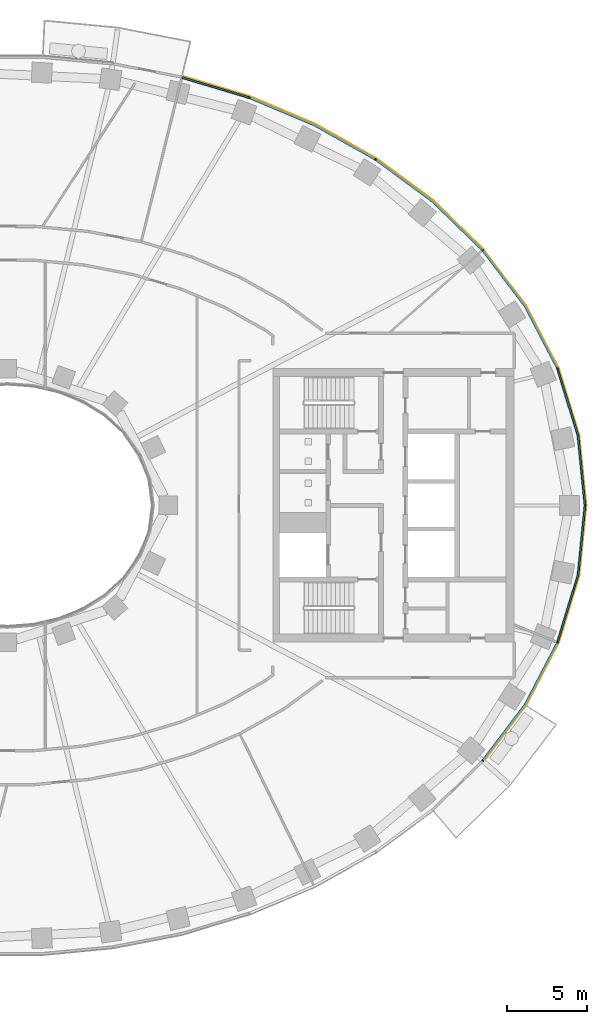
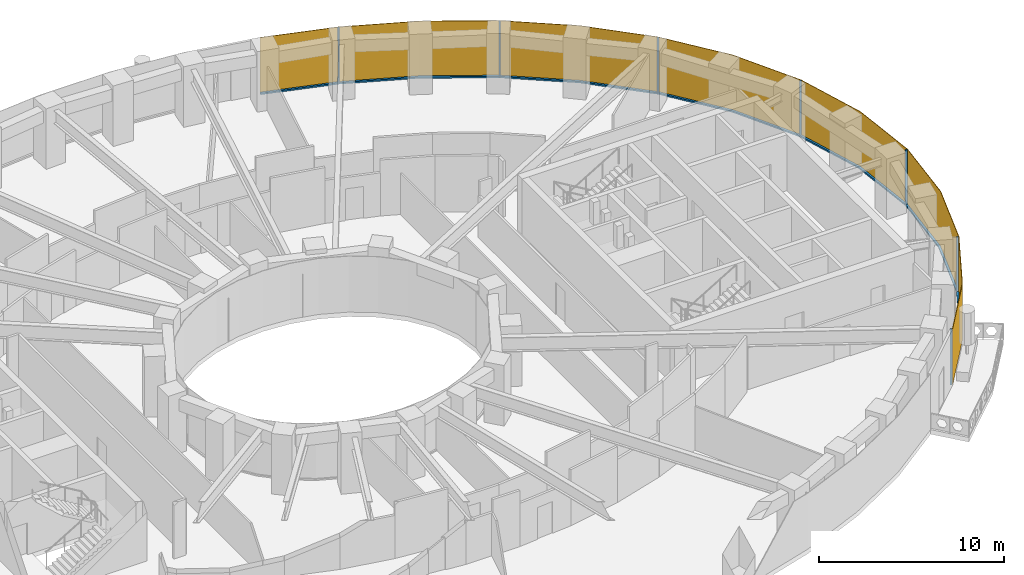
# One storey, part 13 of 16: 14 members, 1 curtain wall.
"""IFC4 building model written with IfcOpenShell, lengths in metres."""

from ifc_helpers import new_model, si_unit, direction, frame, origin, origin_2d, place, context, subcontext, project, spatial, polyline, rectangle, outline, extrude, material, layer, layer_set, material_profile, profile_set, type_object, element, aggregate, save


model = new_model("IFC4")

# Units and contexts
model_context = context("Model", 3, precision=1e-05, world=origin(), true_north=direction((0.0, 1.0)))
body_context = subcontext(model_context, "Body", "Model", "MODEL_VIEW")
ifc_project = project(units=[si_unit("LENGTHUNIT", "METRE"), si_unit("AREAUNIT", "SQUARE_METRE"), si_unit("VOLUMEUNIT", "CUBIC_METRE"), si_unit("PLANEANGLEUNIT", "RADIAN"), si_unit("MASSUNIT", "GRAM", prefix="KILO")], contexts=[model_context])

# Member
ifc_material_1 = material(Name="Aluminium 6063-T6 black anodised", Category="aluminium")
ifc_material_profile = material_profile(ifc_material_1, rectangle(XDim=0.1201171875, YDim=0.06005859375, at=origin_2d()), Name="120x60")
ifc_profile_set = profile_set([ifc_material_profile], Name="Aluminium 6063-T6 black anodised")
member_type_1 = type_object("IfcMemberType", Name="ENV-MULLION-A-120", PredefinedType="MULLION", material=ifc_profile_set)
site_placement = place(None, origin())
building_placement = place(site_placement, origin())
storey_placement = place(building_placement, frame((0.0, 0.0, 136.0)))
member_1_placement = place(storey_placement, frame((29.53857421875, -15.8671875, 0.0), z_axis=(0.0, 0.0, 1.0), x_axis=(-0.749047221705, 0.662516610853, 0.0)))
member_1 = element("IfcMember", 1, at=member_1_placement, type_object=member_type_1, Name="Mullion A radial 43", PredefinedType="MULLION", context=body_context, shape_type="SweptSolid", body=[
    extrude(rectangle(XDim=0.1201171875, YDim=0.06005859375, at=origin_2d()), origin(), (0.0, 0.0, 1.0), 3.699951171875),
])

member_2_placement = place(storey_placement, frame((34.19580078125, -8.513916015625, 0.0), z_axis=(0.0, 0.0, 1.0), x_axis=(-0.92546738067, 0.378827305398, 0.0)))
member_2 = element("IfcMember", 2, at=member_2_placement, type_object=member_type_1, Name="Mullion A radial 45", PredefinedType="MULLION", context=body_context, shape_type="SweptSolid", body=[
    extrude(rectangle(XDim=0.1201171875, YDim=0.06005859375, at=origin_2d()), origin(), (0.0, 0.0, 1.0), 3.699951171875),
])

member_3_placement = place(storey_placement, frame((35.907958984375, 0.0, 0.0), z_axis=(0.0, 0.0, 1.0), x_axis=(-1.0, 0.0, 0.0)))
member_3 = element("IfcMember", 3, at=member_3_placement, type_object=member_type_1, Name="Mullion A radial 01", PredefinedType="MULLION", context=body_context, shape_type="SweptSolid", body=[
    extrude(rectangle(XDim=0.1201171875, YDim=0.06005859375, at=origin_2d()), origin(), (0.0, 0.0, 1.0), 3.699951171875),
])

member_4_placement = place(storey_placement, frame((34.19580078125, 8.513916015625, 0.0), z_axis=(0.0, 0.0, 1.0), x_axis=(-0.92546738067, -0.378827305398, 0.0)))
member_4 = element("IfcMember", 4, at=member_4_placement, type_object=member_type_1, Name="Mullion A radial 03", PredefinedType="MULLION", context=body_context, shape_type="SweptSolid", body=[
    extrude(rectangle(XDim=0.1201171875, YDim=0.06005859375, at=origin_2d()), origin(), (0.0, 0.0, 1.0), 3.699951171875),
])

member_5_placement = place(storey_placement, frame((29.53857421875, 15.8671875, 0.0), z_axis=(0.0, 0.0, 1.0), x_axis=(-0.749047221705, -0.662516610853, 0.0)))
member_5 = element("IfcMember", 5, at=member_5_placement, type_object=member_type_1, Name="Mullion A radial 05", PredefinedType="MULLION", context=body_context, shape_type="SweptSolid", body=[
    extrude(rectangle(XDim=0.1201171875, YDim=0.06005859375, at=origin_2d()), origin(), (0.0, 0.0, 1.0), 3.699951171875),
])

member_6_placement = place(storey_placement, frame((22.882568359375, 21.506591796875, 0.0), z_axis=(0.0, 0.0, 1.0), x_axis=(-0.542279153225, -0.840198381323, 0.0)))
member_6 = element("IfcMember", 6, at=member_6_placement, type_object=member_type_1, Name="Mullion A radial 07", PredefinedType="MULLION", context=body_context, shape_type="SweptSolid", body=[
    extrude(rectangle(XDim=0.1201171875, YDim=0.06005859375, at=origin_2d()), origin(), (0.0, 0.0, 1.0), 3.699951171875),
])

member_7_placement = place(storey_placement, frame((15.0341796875, 25.34375, 0.0), z_axis=(0.0, 0.0, 1.0), x_axis=(-0.338379256581, -0.941009818608, 0.0)))
member_7 = element("IfcMember", 7, at=member_7_placement, type_object=member_type_1, Name="Mullion A radial 09", PredefinedType="MULLION", context=body_context, shape_type="SweptSolid", body=[
    extrude(rectangle(XDim=0.1201171875, YDim=0.06005859375, at=origin_2d()), origin(), (0.0, 0.0, 1.0), 3.699951171875),
])

ifc_material_2 = material(Name="Aluminium 6063-T6 black anodised", Category="aluminium")
member_type_2 = type_object("IfcMemberType", Name="ENV-TRANSOM-A", PredefinedType="USERDEFINED", material=ifc_material_2)
member_8_placement = place(storey_placement, origin())
member_8 = element("IfcMember", 8, at=member_8_placement, type_object=member_type_2, Name="Transom A radial 43-45", ObjectType="TRANSOM", PredefinedType="USERDEFINED", context=body_context, shape_type="SweptSolid", body=[
    extrude(outline(polyline([(29.6005859375, -15.884521484375), (32.22802734375, -12.41748046875), (34.23828125, -8.5615234375), (34.126708984375, -8.515869140625), (32.126220703125, -12.35302734375), (29.51025390625, -15.8046875), (29.6005859375, -15.884521484375)])), origin(), (0.0, 0.0, 1.0), 0.10009765625),
])

member_9_placement = place(storey_placement, origin())
member_9 = element("IfcMember", 9, at=member_9_placement, type_object=member_type_2, Name="Transom A radial 45-01", ObjectType="TRANSOM", PredefinedType="USERDEFINED", context=body_context, shape_type="SweptSolid", body=[
    extrude(outline(polyline([(34.259521484375, -8.509765625), (35.529541015625, -4.352294921875), (35.965087890625, -0.02783203125), (35.844482421875, -0.02783203125), (35.411376953125, -4.32861328125), (34.14794921875, -8.464111328125), (34.259521484375, -8.509765625)])), origin(), (0.0, 0.0, 1.0), 0.10009765625),
])

member_10_placement = place(storey_placement, origin())
member_10 = element("IfcMember", 10, at=member_10_placement, type_object=member_type_2, Name="Transom A radial 01-03", ObjectType="TRANSOM", PredefinedType="USERDEFINED", context=body_context, shape_type="SweptSolid", body=[
    extrude(outline(polyline([(35.965087890625, 0.02783203125), (35.529541015625, 4.352294921875), (34.259521484375, 8.509765625), (34.14794921875, 8.464111328125), (35.411376953125, 4.32861328125), (35.844482421875, 0.02783203125), (35.965087890625, 0.02783203125)])), origin(), (0.0, 0.0, 1.0), 0.10009765625),
])

member_11_placement = place(storey_placement, origin())
member_11 = element("IfcMember", 11, at=member_11_placement, type_object=member_type_2, Name="Transom A radial 03-05", ObjectType="TRANSOM", PredefinedType="USERDEFINED", context=body_context, shape_type="SweptSolid", body=[
    extrude(outline(polyline([(34.23828125, 8.5615234375), (32.22802734375, 12.41748046875), (29.6005859375, 15.884521484375), (29.51025390625, 15.8046875), (32.126220703125, 12.35302734375), (34.126708984375, 8.515869140625), (34.23828125, 8.5615234375)])), origin(), (0.0, 0.0, 1.0), 0.10009765625),
])

member_12_placement = place(storey_placement, origin())
member_12 = element("IfcMember", 12, at=member_12_placement, type_object=member_type_2, Name="Transom A radial 05-07", ObjectType="TRANSOM", PredefinedType="USERDEFINED", context=body_context, shape_type="SweptSolid", body=[
    extrude(outline(polyline([(29.5634765625, 15.926513671875), (26.4423828125, 18.958740234375), (22.937744140625, 21.540283203125), (22.87255859375, 21.439208984375), (26.364501953125, 18.866943359375), (29.473388671875, 15.8466796875), (29.5634765625, 15.926513671875)])), origin(), (0.0, 0.0, 1.0), 0.10009765625),
])

member_13_placement = place(storey_placement, origin())
member_13 = element("IfcMember", 13, at=member_13_placement, type_object=member_type_2, Name="Transom A radial 07-09", ObjectType="TRANSOM", PredefinedType="USERDEFINED", context=body_context, shape_type="SweptSolid", body=[
    extrude(outline(polyline([(22.890625, 21.570556640625), (19.093994140625, 23.701416015625), (15.080322265625, 25.389404296875), (15.03955078125, 25.276123046875), (19.041259765625, 23.593505859375), (22.825439453125, 21.469482421875), (22.890625, 21.570556640625)])), origin(), (0.0, 0.0, 1.0), 0.10009765625),
])

member_14_placement = place(storey_placement, origin())
member_14 = element("IfcMember", 14, at=member_14_placement, type_object=member_type_2, Name="Transom A radial 09-10", ObjectType="TRANSOM", PredefinedType="USERDEFINED", context=body_context, shape_type="SweptSolid", body=[
    extrude(outline(polyline([(15.027587890625, 25.408203125), (10.876708984375, 26.657470703125), (10.847900390625, 26.540771484375), (14.987060546875, 25.295166015625), (15.027587890625, 25.408203125)])), origin(), (0.0, 0.0, 1.0), 0.10009765625),
])

# Site, building, storey
site = spatial("IfcSite", under=ifc_project, at=site_placement, CompositionType="ELEMENT")
building = spatial("IfcBuilding", under=site, at=building_placement, Name="Noorbagh Ring Tower", CompositionType="ELEMENT")
storey = spatial("IfcBuildingStorey", under=building, at=storey_placement, Name="L31", CompositionType="ELEMENT", Elevation=136.0)

# Curtain wall
ifc_material_3 = material(Name="Glass dark tinted laminated", Category="glass")
ifc_layer = layer(ifc_material_3, 0.031982421875)
ifc_layer_set = layer_set([ifc_layer], Name="Glass dark tinted laminated")
curtain_wall_type = type_object("IfcCurtainWallType", Name="ENV-CW-A", PredefinedType="NOTDEFINED", material=ifc_layer_set)
curtain_wall_placement = place(storey_placement, origin())
curtain_wall = element("IfcCurtainWall", 15, at=curtain_wall_placement, inside=storey, type_object=curtain_wall_type, Name="Curtain wall A R43", PredefinedType="NOTDEFINED", context=body_context, shape_type="SweptSolid", body=[
    extrude(outline(polyline([(29.61962890625, -15.912109375), (32.255126953125, -12.434814453125), (34.281005859375, -8.548828125), (35.561279296875, -4.358642578125), (36.0, 0.0), (35.561279296875, 4.358642578125), (34.281005859375, 8.548828125), (32.255126953125, 12.434814453125), (29.607666015625, 15.927978515625), (26.463134765625, 18.9833984375), (22.9326171875, 21.583740234375), (19.108154296875, 23.730224609375), (15.065185546875, 25.430419921875), (10.884521484375, 26.6884765625), (10.876708984375, 26.657470703125), (15.054443359375, 25.400146484375), (19.093994140625, 23.701416015625), (22.9150390625, 21.556884765625), (26.4423828125, 18.958740234375), (29.58349609375, 15.906982421875), (32.22802734375, 12.41748046875), (34.251220703125, 8.53662109375), (35.529541015625, 4.352294921875), (35.9677734375, 0.0), (35.529541015625, -4.352294921875), (34.251220703125, -8.53662109375), (32.22802734375, -12.41748046875), (29.595703125, -15.890869140625), (29.61962890625, -15.912109375)])), origin(), (0.0, 0.0, 1.0), 3.699951171875),
])

aggregate(curtain_wall, [member_1, member_2, member_3, member_4, member_5, member_6, member_7, member_8, member_9, member_10, member_11, member_12, member_13, member_14])

save(model, "model.ifc")
